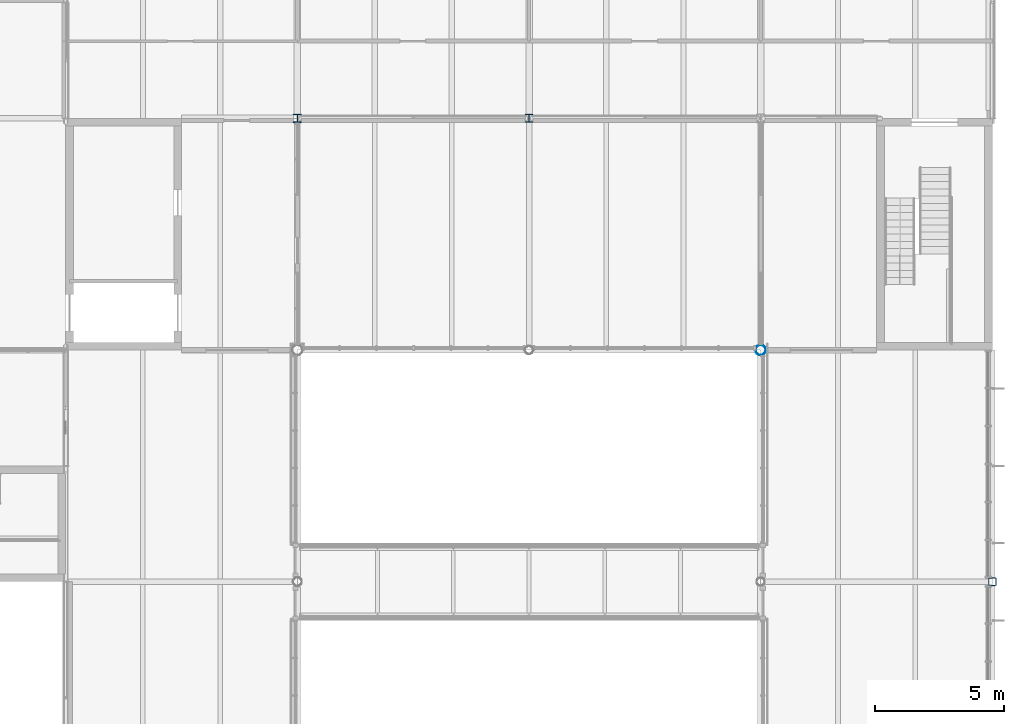
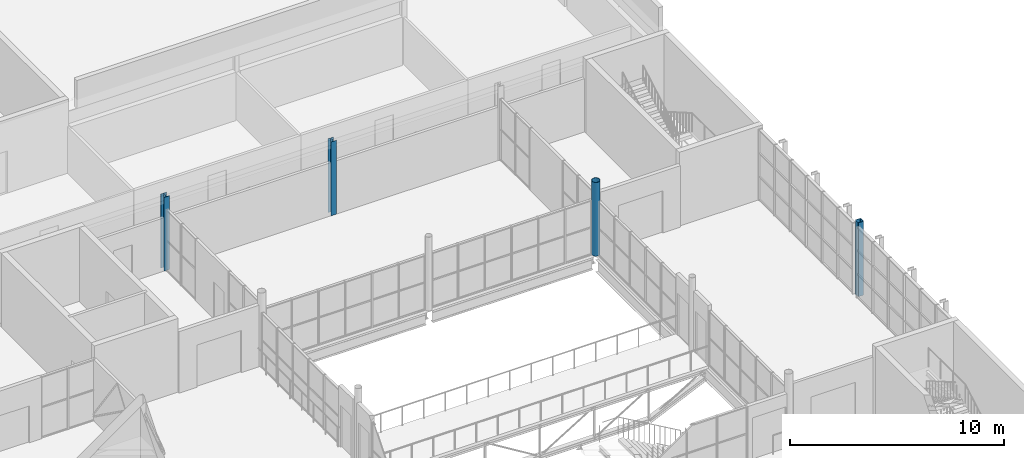
# One storey, part 6 of 61: 4 columns.
"""IFC4 building model written with IfcOpenShell, lengths in metres."""

from ifc_helpers import new_model, si_unit, direction, frame, origin, origin_2d, place, context, subcontext, project, spatial, hollow_rectangle, hollow_circle, i_section, extrude, material, material_profile, profile_set, type_object, element, save


model = new_model("IFC4")

# Units and contexts
model_context = context("Model", 3, precision=1e-05, world=origin(), true_north=direction((0.0, 1.0)))
body_context = subcontext(model_context, "Body", "Model", "MODEL_VIEW")
ifc_project = project(units=[si_unit("LENGTHUNIT", "METRE"), si_unit("AREAUNIT", "SQUARE_METRE"), si_unit("VOLUMEUNIT", "CUBIC_METRE"), si_unit("PLANEANGLEUNIT", "RADIAN"), si_unit("MASSUNIT", "GRAM", prefix="KILO")], contexts=[model_context])

# Site, building, storey
site_placement = place(None, origin())
site = spatial("IfcSite", under=ifc_project, at=site_placement, CompositionType="ELEMENT")
building_placement = place(site_placement, origin())
building = spatial("IfcBuilding", under=site, at=building_placement, Name="Halyard Row Museum", CompositionType="ELEMENT")
storey_placement = place(building_placement, frame((0.0, 0.0, 9.199951171875)))
storey = spatial("IfcBuildingStorey", under=building, at=storey_placement, Name="L02", CompositionType="ELEMENT", Elevation=9.199951171875)

# Columns
ifc_material_1 = material(Name="Steel Grade C350L0", Category="steel")
ifc_material_profile_1 = material_profile(ifc_material_1, hollow_rectangle(XDim=0.300048828125, YDim=0.300048828125, WallThickness=0.01611328125, InnerFilletRadius=0.02392578125, OuterFilletRadius=0.0400390625, at=origin_2d()), Name="300x300x16.0SHS")
ifc_profile_set_1 = profile_set([ifc_material_profile_1], Name="Steel Grade C350L0")
column_type_1 = type_object("IfcColumnType", Name="Column 300x300x16.0SHS edge", PredefinedType="COLUMN", material=ifc_profile_set_1)
column_1_placement = place(storey_placement, frame((108.0, 18.0, 0.0), z_axis=(0.0, 0.0, 1.0), x_axis=(1.0, 0.0, 0.0)))
element("IfcColumn", 1, at=column_1_placement, inside=storey, type_object=column_type_1, Name="Column 13C L02", PredefinedType="COLUMN", context=body_context, shape_type="SweptSolid", body=[
    extrude(hollow_rectangle(XDim=0.300048828125, YDim=0.300048828125, WallThickness=0.01611328125, InnerFilletRadius=0.02392578125, OuterFilletRadius=0.0400390625, at=origin_2d()), origin(), (0.0, 0.0, 1.0), 4.199951171875),
])
ifc_material_2 = material(Name="Steel Grade 300", Category="steel")
ifc_material_profile_2 = material_profile(ifc_material_2, i_section(OverallWidth=0.30908203125, OverallDepth=0.320556640625, WebThickness=0.013916015625, FlangeThickness=0.021728515625, FilletRadius=0.0166015625, at=origin_2d()), Name="310UC137")
ifc_profile_set_2 = profile_set([ifc_material_profile_2], Name="Steel Grade 300")
column_type_2 = type_object("IfcColumnType", Name="Column 310UC137 interior", PredefinedType="COLUMN", material=ifc_profile_set_2)
column_2_placement = place(storey_placement, frame((81.0, 36.0, 0.0), z_axis=(0.0, 0.0, 1.0), x_axis=(1.0, 0.0, 0.0)))
element("IfcColumn", 2, at=column_2_placement, inside=storey, type_object=column_type_2, Name="Column 10E L02", PredefinedType="COLUMN", context=body_context, shape_type="SweptSolid", body=[
    extrude(i_section(OverallWidth=0.30908203125, OverallDepth=0.320556640625, WebThickness=0.013916015625, FlangeThickness=0.021728515625, FilletRadius=0.0166015625, at=origin_2d()), origin(), (0.0, 0.0, 1.0), 4.199951171875),
])
ifc_material_3 = material(Name="Steel Grade 300", Category="steel")
ifc_material_profile_3 = material_profile(ifc_material_3, i_section(OverallWidth=0.304931640625, OverallDepth=0.30810546875, WebThickness=0.010009765625, FlangeThickness=0.015380859375, FilletRadius=0.0166015625, at=origin_2d()), Name="310UC96.8")
ifc_profile_set_3 = profile_set([ifc_material_profile_3], Name="Steel Grade 300")
column_type_3 = type_object("IfcColumnType", Name="Column 310UC96.8 interior", PredefinedType="COLUMN", material=ifc_profile_set_3)
column_3_placement = place(storey_placement, frame((90.0, 36.0, 0.0), z_axis=(0.0, 0.0, 1.0), x_axis=(1.0, 0.0, 0.0)))
element("IfcColumn", 3, at=column_3_placement, inside=storey, type_object=column_type_3, Name="Column 11E L02", PredefinedType="COLUMN", context=body_context, shape_type="SweptSolid", body=[
    extrude(i_section(OverallWidth=0.304931640625, OverallDepth=0.30810546875, WebThickness=0.010009765625, FlangeThickness=0.015380859375, FilletRadius=0.0166015625, at=origin_2d()), origin(), (0.0, 0.0, 1.0), 4.199951171875),
])
ifc_material_4 = material(Name="Steel Grade C350L0", Category="steel")
ifc_material_profile_4 = material_profile(ifc_material_4, hollow_circle(Radius=0.203125, WallThickness=0.0126953125, at=origin_2d()), Name="406.4x12.7CHS")
ifc_profile_set_4 = profile_set([ifc_material_profile_4], Name="Steel Grade C350L0")
column_type_4 = type_object("IfcColumnType", Name="Column 406.4x12.7CHS atrium", PredefinedType="COLUMN", material=ifc_profile_set_4)
column_4_placement = place(storey_placement, frame((99.0, 27.0, 0.0), z_axis=(0.0, 0.0, 1.0), x_axis=(1.0, 0.0, 0.0)))
element("IfcColumn", 4, at=column_4_placement, inside=storey, type_object=column_type_4, Name="Column 12D L02", PredefinedType="COLUMN", context=body_context, shape_type="SweptSolid", body=[
    extrude(hollow_circle(Radius=0.203125, WallThickness=0.0126953125, at=origin_2d()), origin(), (0.0, 0.0, 1.0), 4.199951171875),
])

save(model, "model.ifc")
